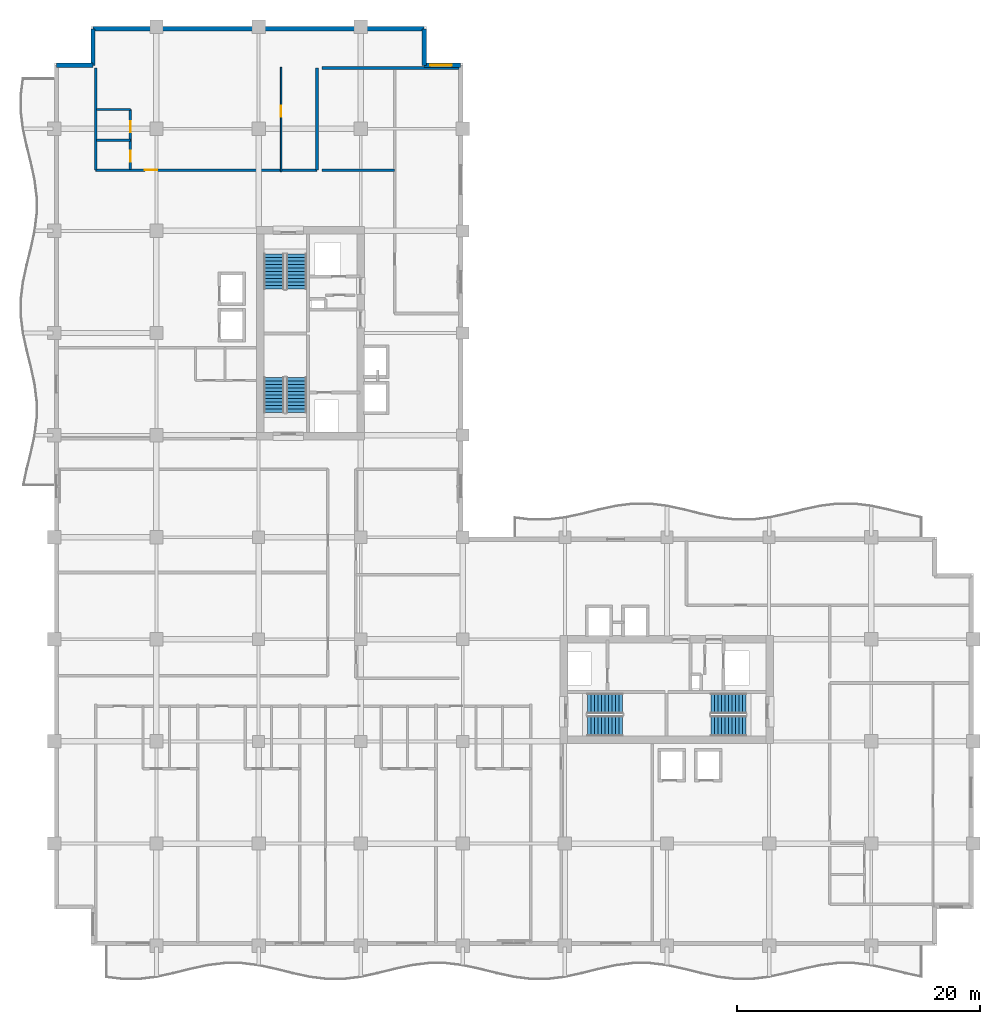
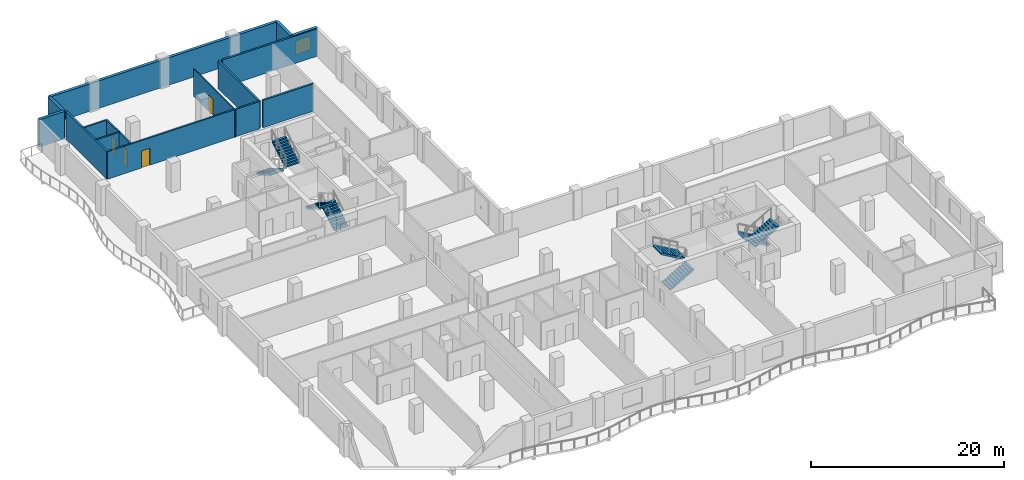
# One storey, part 9 of 14: 14 walls, 8 stair flights, 4 doors, 1 window, 5 openings, 4 elements without a shape of their own.
"""IFC4 building model written with IfcOpenShell, lengths in metres."""

from ifc_helpers import new_model, si_unit, direction, frame, frame_2d, origin, place, context, subcontext, project, spatial, polyline, rectangle, outline, extrude, material, layer, layer_set, type_object, element, fill, aggregate, save


model = new_model("IFC4")

# Units and contexts
model_context = context("Model", 3, precision=1e-05, world=origin(), true_north=direction((0.0, 1.0)))
body_context = subcontext(model_context, "Body", "Model", "MODEL_VIEW")
ifc_project = project(units=[si_unit("LENGTHUNIT", "METRE"), si_unit("AREAUNIT", "SQUARE_METRE"), si_unit("VOLUMEUNIT", "CUBIC_METRE"), si_unit("PLANEANGLEUNIT", "RADIAN"), si_unit("MASSUNIT", "GRAM", prefix="KILO")], contexts=[model_context])

# Site, building, storey
site_placement = place(None, origin())
site = spatial("IfcSite", under=ifc_project, at=site_placement, CompositionType="ELEMENT")
building_placement = place(site_placement, origin())
building = spatial("IfcBuilding", under=site, at=building_placement, Name="Koriwani Terraces Tower", CompositionType="ELEMENT")
storey_placement = place(building_placement, frame((0.0, 0.0, 208.699951171875)))
storey = spatial("IfcBuildingStorey", under=building, at=storey_placement, Name="L51", CompositionType="ELEMENT", Elevation=208.699951171875)

# Wall, opening, door
ifc_material_1 = material(Name="Autoclaved Cellular Concrete Blockwork", Category="masonry")
ifc_layer_1 = layer(ifc_material_1, 0.199951171875, Name="Autoclaved Cellular Concrete Blockwork")
ifc_layer_set_1 = layer_set([ifc_layer_1], Name="Autoclaved Cellular Concrete Blockwork")
wall_type_1 = type_object("IfcWallType", Name="WALL_CORRIDOR_200", PredefinedType="PARTITIONING", material=ifc_layer_set_1)
wall_1_placement = place(storey_placement, frame((3.39990234375, 63.800048828125, 0.0), z_axis=(0.0, 0.0, 1.0), x_axis=(1.0, 0.0, 0.0)))
wall_1 = element("IfcWall", 1, at=wall_1_placement, inside=storey, type_object=wall_type_1, Name="L51 Interior Wall WGB-L51-NWTIP-S", PredefinedType="PARTITIONING", context=body_context, shape_type="SweptSolid", body=[
    extrude(rectangle(XDim=18.2001953125, YDim=0.199951171875, at=frame_2d((9.10009765625, 0.0))), origin(), (0.0, 0.0, 1.0), 3.469970703125),
])
opening_1_placement = place(wall_1_placement, frame((4.050048828125, 0.0, 0.0)))
opening_1 = element("IfcOpeningElement", 2, at=opening_1_placement, cuts=wall_1, Name="Opening D-05", PredefinedType="OPENING", context=body_context, shape_type="SweptSolid", body=[
    extrude(rectangle(XDim=1.0, YDim=2.14990234375, at=frame_2d((0.5, 1.074951171875))), frame((0.0, 0.10986328125, 0.0), z_axis=(0.0, -1.0, 0.0), x_axis=(1.0, 0.0, 0.0)), (0.0, 0.0, 1.0), 0.219970703125),
])
ifc_material_2 = material(Name="Architectural Oak Fire Door", Category="wood")
door_type_1 = type_object("IfcDoorType", Name="DOOR_SUITE_ENTRY_1000X2150", OperationType="NOTDEFINED", PredefinedType="DOOR", material=ifc_material_2)
door_1_placement = place(opening_1_placement, origin())
door_1 = element("IfcDoor", 3, at=door_1_placement, inside=storey, type_object=door_type_1, Name="Grand Apartment 51NT Entrance Door", OperationType="SINGLE_SWING_RIGHT", OverallHeight=2.14990234375, OverallWidth=1.0, PredefinedType="DOOR", context=body_context, shape_type="SweptSolid", body=[
    extrude(rectangle(XDim=1.0, YDim=2.14990234375, at=frame_2d((0.5, 1.074951171875))), frame((0.0, 0.02490234375, 0.0), z_axis=(0.0, -1.0, 0.0), x_axis=(1.0, 0.0, 0.0)), (0.0, 0.0, 1.0), 0.050048828125),
])
fill(opening_1, door_1)

# Walls
ifc_layer_2 = layer(ifc_material_1, 0.219970703125, Name="Autoclaved Cellular Concrete Blockwork")
ifc_layer_set_2 = layer_set([ifc_layer_2], Name="Autoclaved Cellular Concrete Blockwork")
wall_type_2 = type_object("IfcWallType", Name="WALL_DEMISING_220", PredefinedType="PARTITIONING", material=ifc_layer_set_2)
for number, where, z_axis, x_axis, name in (
    (4, (21.60009765625, 63.800048828125, 0.0), (0.0, 0.0, 1.0), (0.0, 1.0, 0.0), "L51 Interior Wall WGB-L51-NWTIP-E"),
    (5, (3.39990234375, 63.800048828125, 0.0), (0.0, 0.0, 1.0), (0.0, 1.0, 0.0), "L51 Interior Wall WGB-L51-NWTIP-W"),
):
    element("IfcWall", number, at=place(storey_placement, frame(where, z_axis=z_axis, x_axis=x_axis)), inside=storey, type_object=wall_type_2, Name=name, PredefinedType="PARTITIONING", context=body_context, shape_type="SweptSolid", body=[
        extrude(rectangle(XDim=8.39990234375, YDim=0.219970703125, at=frame_2d((4.199951171875, 0.0))), origin(), (0.0, 0.0, 1.0), 3.469970703125),
    ])
wall_2_placement = place(storey_placement, frame((22.0, 72.199951171875, 0.0), z_axis=(0.0, 0.0, 1.0), x_axis=(1.0, 0.0, 0.0)))
element("IfcWall", 6, at=wall_2_placement, inside=storey, type_object=wall_type_2, Name="L51 Interior Wall WNWT2-N-L51", PredefinedType="PARTITIONING", context=body_context, shape_type="SweptSolid", body=[
    extrude(rectangle(XDim=11.300048828125, YDim=0.219970703125, at=frame_2d((5.64990234375, 0.0))), origin(), (0.0, 0.0, 1.0), 3.469970703125),
])
wall_3_placement = place(storey_placement, frame((22.0, 63.800048828125, 0.0), z_axis=(0.0, 0.0, 1.0), x_axis=(1.0, 0.0, 0.0)))
element("IfcWall", 7, at=wall_3_placement, inside=storey, type_object=wall_type_2, Name="L51 Interior Wall WNWT2-WS-L51", PredefinedType="PARTITIONING", context=body_context, shape_type="SweptSolid", body=[
    extrude(rectangle(XDim=6.0, YDim=0.219970703125, at=frame_2d((3.0, 0.0))), origin(), (0.0, 0.0, 1.0), 3.469970703125),
])
ifc_material_3 = material(Name="Concrete C50/60", Category="concrete")
ifc_layer_3 = layer(ifc_material_3, 0.35009765625, Name="Concrete C50/60")
ifc_layer_set_3 = layer_set([ifc_layer_3], Name="Concrete C50/60")
wall_type_3 = type_object("IfcWallType", Name="WALL_EXT_BRUTALIST_350", PredefinedType="STANDARD", material=ifc_layer_set_3)
for number, where, z_axis, x_axis, name in (
    (8, (0.175048828125, 72.425048828125, 0.0), (0.0, 0.0, 1.0), (1.0, 0.0, 0.0), "L51 Fair-Faced Brutalist Exterior Wall (N3)"),
    (9, (3.175048828125, 72.425048828125, 0.0), (0.0, 0.0, 1.0), (0.0, 1.0, 0.0), "L51 Fair-Faced Brutalist Exterior Wall (N4)"),
):
    element("IfcWall", number, at=place(storey_placement, frame(where, z_axis=z_axis, x_axis=x_axis)), inside=storey, type_object=wall_type_3, Name=name, PredefinedType="STANDARD", context=body_context, shape_type="SweptSolid", body=[
        extrude(rectangle(XDim=3.0, YDim=0.35009765625, at=frame_2d((1.5, 0.0))), origin(), (0.0, 0.0, 1.0), 3.469970703125),
    ])
wall_4_placement = place(storey_placement, frame((3.175048828125, 75.425048828125, 0.0), z_axis=(0.0, 0.0, 1.0), x_axis=(1.0, 0.0, 0.0)))
element("IfcWall", 10, at=wall_4_placement, inside=storey, type_object=wall_type_3, Name="L51 Fair-Faced Brutalist Exterior Wall (N_TIP)", PredefinedType="STANDARD", context=body_context, shape_type="SweptSolid", body=[
    extrude(rectangle(XDim=27.25, YDim=0.35009765625, at=frame_2d((13.625, 0.0))), origin(), (0.0, 0.0, 1.0), 3.469970703125),
])
wall_5_placement = place(storey_placement, frame((30.425048828125, 75.425048828125, 0.0), z_axis=(0.0, 0.0, 1.0), x_axis=(0.0, -1.0, 0.0)))
element("IfcWall", 11, at=wall_5_placement, inside=storey, type_object=wall_type_3, Name="L51 Fair-Faced Brutalist Exterior Wall (N6)", PredefinedType="STANDARD", context=body_context, shape_type="SweptSolid", body=[
    extrude(rectangle(XDim=3.0, YDim=0.35009765625, at=frame_2d((1.5, 0.0))), origin(), (0.0, 0.0, 1.0), 3.469970703125),
])

# Wall, opening, window
wall_6_placement = place(storey_placement, frame((30.425048828125, 72.425048828125, 0.0), z_axis=(0.0, 0.0, 1.0), x_axis=(1.0, 0.0, 0.0)))
wall_6 = element("IfcWall", 12, at=wall_6_placement, inside=storey, type_object=wall_type_3, Name="L51 Fair-Faced Brutalist Exterior Wall (N7)", PredefinedType="STANDARD", context=body_context, shape_type="SweptSolid", body=[
    extrude(rectangle(XDim=3.0, YDim=0.35009765625, at=frame_2d((1.5, 0.0))), origin(), (0.0, 0.0, 1.0), 3.469970703125),
])
opening_2_placement = place(wall_6_placement, frame((0.487548828125, 0.0, 0.85009765625)))
opening_2 = element("IfcOpeningElement", 13, at=opening_2_placement, cuts=wall_6, Name="Opening W-04", PredefinedType="OPENING", context=body_context, shape_type="SweptSolid", body=[
    extrude(rectangle(XDim=1.800048828125, YDim=1.800048828125, at=frame_2d((0.89990234375, 0.89990234375))), frame((0.0, 0.18505859375, 0.0), z_axis=(0.0, -1.0, 0.0), x_axis=(1.0, 0.0, 0.0)), (0.0, 0.0, 1.0), 0.3701171875),
])
ifc_material_4 = material(Name="Tempered Laminated Low-E Glass", Category="glass")
window_type = type_object("IfcWindowType", Name="WIN_RES_BED_1800X1800", PartitioningType="DOUBLE_PANEL_VERTICAL", PredefinedType="WINDOW", material=ifc_material_4)
window_placement = place(opening_2_placement, origin())
window = element("IfcWindow", 14, at=window_placement, inside=storey, type_object=window_type, Name="L51 Exterior Window (N7-R50)", OverallHeight=1.800048828125, OverallWidth=1.800048828125, PartitioningType="SINGLE_PANEL", PredefinedType="WINDOW", context=body_context, shape_type="SweptSolid", body=[
    extrude(rectangle(XDim=1.800048828125, YDim=1.800048828125, at=frame_2d((0.89990234375, 0.89990234375))), frame((0.0, 0.030029296875, 0.0), z_axis=(0.0, -1.0, 0.0), x_axis=(1.0, 0.0, 0.0)), (0.0, 0.0, 1.0), 0.06005859375),
])
fill(opening_2, window)

# Wall, opening, door
ifc_material_5 = material(Name="Fire-Rated Acoustic Gypsum Partition", Category="masonry")
ifc_layer_4 = layer(ifc_material_5, 0.125, Name="Fire-Rated Acoustic Gypsum Partition")
ifc_layer_set_4 = layer_set([ifc_layer_4], Name="Fire-Rated Acoustic Gypsum Partition")
wall_type_4 = type_object("IfcWallType", Name="WALL_INT_125", PredefinedType="PARTITIONING", material=ifc_layer_set_4)
wall_7_placement = place(storey_placement, frame((18.64990234375, 63.64990234375, 0.0), z_axis=(0.0, 0.0, 1.0), x_axis=(0.0, 1.0, 0.0)))
wall_7 = element("IfcWall", 15, at=wall_7_placement, inside=storey, type_object=wall_type_4, Name="L51 Interior Wall WGB-L51-NWTIP-BD", PredefinedType="PARTITIONING", context=body_context, shape_type="SweptSolid", body=[
    extrude(rectangle(XDim=8.60009765625, YDim=0.125, at=frame_2d((4.300048828125, 0.0))), origin(), (0.0, 0.0, 1.0), 3.469970703125),
])
opening_3_placement = place(wall_7_placement, frame((4.530029296875, 0.0, 0.0)))
opening_3 = element("IfcOpeningElement", 16, at=opening_3_placement, cuts=wall_7, Name="Opening D-06", PredefinedType="OPENING", context=body_context, shape_type="SweptSolid", body=[
    extrude(rectangle(XDim=0.919921875, YDim=2.10009765625, at=frame_2d((0.4599609375, 1.050048828125))), frame((0.0, 0.072509765625, 0.0), z_axis=(0.0, -1.0, 0.0), x_axis=(1.0, 0.0, 0.0)), (0.0, 0.0, 1.0), 0.14501953125),
])
door_type_2 = type_object("IfcDoorType", Name="DOOR_ROOM_INT_920X2100", OperationType="NOTDEFINED", PredefinedType="DOOR", material=ifc_material_2)
door_2_placement = place(opening_3_placement, origin())
door_2 = element("IfcDoor", 17, at=door_2_placement, inside=storey, type_object=door_type_2, Name="Grand Apartment 51NT Master Suite Door", OperationType="SINGLE_SWING_LEFT", OverallHeight=2.10009765625, OverallWidth=0.919921875, PredefinedType="DOOR", context=body_context, shape_type="SweptSolid", body=[
    extrude(rectangle(XDim=0.919921875, YDim=2.10009765625, at=frame_2d((0.4599609375, 1.050048828125))), frame((0.0, 0.02490234375, 0.0), z_axis=(0.0, -1.0, 0.0), x_axis=(1.0, 0.0, 0.0)), (0.0, 0.0, 1.0), 0.050048828125),
])
fill(opening_3, door_2)

# Wall, openings, doors
ifc_layer_5 = layer(ifc_material_5, 0.179931640625, Name="Fire-Rated Acoustic Gypsum Partition")
ifc_layer_set_5 = layer_set([ifc_layer_5], Name="Fire-Rated Acoustic Gypsum Partition")
wall_type_5 = type_object("IfcWallType", Name="WALL_PLUMBING_180", PredefinedType="PLUMBINGWALL", material=ifc_layer_set_5)
wall_8_placement = place(storey_placement, frame((6.25, 63.85009765625, 0.0), z_axis=(0.0, 0.0, 1.0), x_axis=(0.0, 1.0, 0.0)))
wall_8 = element("IfcWall", 18, at=wall_8_placement, inside=storey, type_object=wall_type_5, Name="L51 Interior Wall WGB-L51-NWTIP-SVB", PredefinedType="PLUMBINGWALL", context=body_context, shape_type="SweptSolid", body=[
    extrude(rectangle(XDim=4.949951171875, YDim=0.179931640625, at=frame_2d((2.47509765625, 0.0))), origin(), (0.0, 0.0, 1.0), 3.469970703125),
])
opening_4_placement = place(wall_8_placement, frame((0.64990234375, 0.0, 0.0)))
opening_4 = element("IfcOpeningElement", 19, at=opening_4_placement, cuts=wall_8, Name="Opening D-07", PredefinedType="OPENING", context=body_context, shape_type="SweptSolid", body=[
    extrude(rectangle(XDim=0.89990234375, YDim=2.10009765625, at=frame_2d((0.449951171875, 1.050048828125))), frame((0.0, 0.10009765625, 0.0), z_axis=(0.0, -1.0, 0.0), x_axis=(1.0, 0.0, 0.0)), (0.0, 0.0, 1.0), 0.199951171875),
])
opening_5_placement = place(wall_8_placement, frame((3.050048828125, 0.0, 0.0)))
opening_5 = element("IfcOpeningElement", 20, at=opening_5_placement, cuts=wall_8, Name="Opening D-06", PredefinedType="OPENING", context=body_context, shape_type="SweptSolid", body=[
    extrude(rectangle(XDim=0.919921875, YDim=2.10009765625, at=frame_2d((0.4599609375, 1.050048828125))), frame((0.0, 0.10009765625, 0.0), z_axis=(0.0, -1.0, 0.0), x_axis=(1.0, 0.0, 0.0)), (0.0, 0.0, 1.0), 0.199951171875),
])
door_type_3 = type_object("IfcDoorType", Name="DOOR_BATH_INT_900X2100", OperationType="NOTDEFINED", PredefinedType="DOOR", material=ifc_material_2)
door_3_placement = place(opening_4_placement, origin())
door_3 = element("IfcDoor", 21, at=door_3_placement, inside=storey, type_object=door_type_3, Name="Grand Apartment 51NT Bathroom Door", OperationType="SINGLE_SWING_LEFT", OverallHeight=2.10009765625, OverallWidth=0.89990234375, PredefinedType="DOOR", context=body_context, shape_type="SweptSolid", body=[
    extrude(rectangle(XDim=0.89990234375, YDim=2.10009765625, at=frame_2d((0.449951171875, 1.050048828125))), frame((0.0, 0.02490234375, 0.0), z_axis=(0.0, -1.0, 0.0), x_axis=(1.0, 0.0, 0.0)), (0.0, 0.0, 1.0), 0.050048828125),
])
fill(opening_4, door_3)
door_4_placement = place(opening_5_placement, origin())
door_4 = element("IfcDoor", 22, at=door_4_placement, inside=storey, type_object=door_type_2, Name="Grand Apartment 51NT Kitchen Door", OperationType="SINGLE_SWING_RIGHT", OverallHeight=2.10009765625, OverallWidth=0.919921875, PredefinedType="DOOR", context=body_context, shape_type="SweptSolid", body=[
    extrude(rectangle(XDim=0.919921875, YDim=2.10009765625, at=frame_2d((0.4599609375, 1.050048828125))), frame((0.0, 0.02490234375, 0.0), z_axis=(0.0, -1.0, 0.0), x_axis=(1.0, 0.0, 0.0)), (0.0, 0.0, 1.0), 0.050048828125),
])
fill(opening_5, door_4)

# Walls
for number, where, z_axis, x_axis, name in (
    (23, (3.449951171875, 66.25, 0.0), (0.0, 0.0, 1.0), (1.0, 0.0, 0.0), "L51 Interior Wall WGB-L51-NWTIP-SVM"),
    (24, (3.449951171875, 68.800048828125, 0.0), (0.0, 0.0, 1.0), (1.0, 0.0, 0.0), "L51 Interior Wall WGB-L51-NWTIP-SV2"),
):
    element("IfcWall", number, at=place(storey_placement, frame(where, z_axis=z_axis, x_axis=x_axis)), inside=storey, type_object=wall_type_5, Name=name, PredefinedType="PLUMBINGWALL", context=body_context, shape_type="SweptSolid", body=[
        extrude(rectangle(XDim=2.800048828125, YDim=0.179931640625, at=frame_2d((1.39990234375, 0.0))), origin(), (0.0, 0.0, 1.0), 3.469970703125),
    ])

# Stair, stair flights
ifc_material_6 = material(Name="Concrete C40/50", Category="concrete")
stair_type = type_object("IfcStairType", Name="STAIR_CORE_DOGLEG_1650", PredefinedType="TWO_STRAIGHT_RUN_STAIR", material=ifc_material_6)
stair_1_placement = place(storey_placement, origin())
stair_1 = element("IfcStair", 25, at=stair_1_placement, inside=storey, type_object=stair_type, Name="L51 West Core Exit Stair 1", PredefinedType="HALF_TURN_STAIR")
stair_flight_type = type_object("IfcStairFlightType", Name="STAIR_FLIGHT_RC_1650", PredefinedType="STRAIGHT", material=ifc_material_6)
stair_flight_1_placement = place(storey_placement, frame((19.925048828125, 43.85009765625, 0.0), z_axis=(0.0, 0.0, 1.0), x_axis=(0.0, 1.0, 0.0)))
stair_flight_1 = element("IfcStairFlight", 26, at=stair_flight_1_placement, type_object=stair_flight_type, Name="ST-W1 flight 1", NumberOfRisers=11, NumberOfTreads=10, PredefinedType="STRAIGHT", RiserHeight=0.168181818, TreadLength=0.29, context=body_context, shape_type="SweptSolid", body=[
    extrude(outline(polyline([(0.0, 0.0), (0.0, 0.168212890625), (0.2900390625, 0.168212890625), (0.2900390625, 0.33642578125), (0.580078125, 0.33642578125), (0.580078125, 0.504638671875), (0.8701171875, 0.504638671875), (0.8701171875, 0.672607421875), (1.159912109375, 0.672607421875), (1.159912109375, 0.8408203125), (1.449951171875, 0.8408203125), (1.449951171875, 1.009033203125), (1.739990234375, 1.009033203125), (1.739990234375, 1.17724609375), (2.030029296875, 1.17724609375), (2.030029296875, 1.345458984375), (2.320068359375, 1.345458984375), (2.320068359375, 1.513671875), (2.610107421875, 1.513671875), (2.610107421875, 1.681884765625), (2.89990234375, 1.681884765625), (2.89990234375, 1.85009765625), (2.89990234375, 1.473876953125), (0.358642578125, 0.0), (0.0, 0.0)])), frame((0.0, 0.824951171875, 0.0), z_axis=(0.0, -1.0, 0.0), x_axis=(1.0, 0.0, 0.0)), (0.0, 0.0, 1.0), 1.64990234375),
])
stair_flight_2_placement = place(storey_placement, frame((18.074951171875, 46.75, 1.85009765625), z_axis=(0.0, 0.0, 1.0), x_axis=(0.0, -1.0, 0.0)))
stair_flight_2 = element("IfcStairFlight", 27, at=stair_flight_2_placement, type_object=stair_flight_type, Name="ST-W1 flight 2", NumberOfRisers=11, NumberOfTreads=10, PredefinedType="STRAIGHT", RiserHeight=0.168181818, TreadLength=0.29, context=body_context, shape_type="SweptSolid", body=[
    extrude(outline(polyline([(0.0, 0.0), (0.0, 0.168212890625), (0.2900390625, 0.168212890625), (0.2900390625, 0.33642578125), (0.580078125, 0.33642578125), (0.580078125, 0.504638671875), (0.8701171875, 0.504638671875), (0.8701171875, 0.672607421875), (1.159912109375, 0.672607421875), (1.159912109375, 0.8408203125), (1.449951171875, 0.8408203125), (1.449951171875, 1.009033203125), (1.739990234375, 1.009033203125), (1.739990234375, 1.17724609375), (2.030029296875, 1.17724609375), (2.030029296875, 1.345458984375), (2.320068359375, 1.345458984375), (2.320068359375, 1.513671875), (2.610107421875, 1.513671875), (2.610107421875, 1.681884765625), (2.89990234375, 1.681884765625), (2.89990234375, 1.85009765625), (2.89990234375, 1.473876953125), (0.358642578125, 0.0), (0.0, 0.0)])), frame((0.0, 0.824951171875, 0.0), z_axis=(0.0, -1.0, 0.0), x_axis=(1.0, 0.0, 0.0)), (0.0, 0.0, 1.0), 1.64990234375),
])
aggregate(stair_1, [stair_flight_1, stair_flight_2])

stair_2_placement = place(storey_placement, origin())
stair_2 = element("IfcStair", 28, at=stair_2_placement, inside=storey, type_object=stair_type, Name="L51 West Core Exit Stair 2", PredefinedType="HALF_TURN_STAIR")
stair_flight_3_placement = place(storey_placement, frame((18.074951171875, 56.89990234375, 0.0), z_axis=(0.0, 0.0, 1.0), x_axis=(0.0, -1.0, 0.0)))
stair_flight_3 = element("IfcStairFlight", 29, at=stair_flight_3_placement, type_object=stair_flight_type, Name="ST-W2 flight 1", NumberOfRisers=11, NumberOfTreads=10, PredefinedType="STRAIGHT", RiserHeight=0.168181818, TreadLength=0.29, context=body_context, shape_type="SweptSolid", body=[
    extrude(outline(polyline([(0.0, 0.0), (0.0, 0.168212890625), (0.2900390625, 0.168212890625), (0.2900390625, 0.33642578125), (0.580078125, 0.33642578125), (0.580078125, 0.504638671875), (0.8701171875, 0.504638671875), (0.8701171875, 0.672607421875), (1.159912109375, 0.672607421875), (1.159912109375, 0.8408203125), (1.449951171875, 0.8408203125), (1.449951171875, 1.009033203125), (1.739990234375, 1.009033203125), (1.739990234375, 1.17724609375), (2.030029296875, 1.17724609375), (2.030029296875, 1.345458984375), (2.320068359375, 1.345458984375), (2.320068359375, 1.513671875), (2.610107421875, 1.513671875), (2.610107421875, 1.681884765625), (2.89990234375, 1.681884765625), (2.89990234375, 1.85009765625), (2.89990234375, 1.473876953125), (0.358642578125, 0.0), (0.0, 0.0)])), frame((0.0, 0.824951171875, 0.0), z_axis=(0.0, -1.0, 0.0), x_axis=(1.0, 0.0, 0.0)), (0.0, 0.0, 1.0), 1.64990234375),
])
stair_flight_4_placement = place(storey_placement, frame((19.925048828125, 54.0, 1.85009765625), z_axis=(0.0, 0.0, 1.0), x_axis=(0.0, 1.0, 0.0)))
stair_flight_4 = element("IfcStairFlight", 30, at=stair_flight_4_placement, type_object=stair_flight_type, Name="ST-W2 flight 2", NumberOfRisers=11, NumberOfTreads=10, PredefinedType="STRAIGHT", RiserHeight=0.168181818, TreadLength=0.29, context=body_context, shape_type="SweptSolid", body=[
    extrude(outline(polyline([(0.0, 0.0), (0.0, 0.168212890625), (0.2900390625, 0.168212890625), (0.2900390625, 0.33642578125), (0.580078125, 0.33642578125), (0.580078125, 0.504638671875), (0.8701171875, 0.504638671875), (0.8701171875, 0.672607421875), (1.159912109375, 0.672607421875), (1.159912109375, 0.8408203125), (1.449951171875, 0.8408203125), (1.449951171875, 1.009033203125), (1.739990234375, 1.009033203125), (1.739990234375, 1.17724609375), (2.030029296875, 1.17724609375), (2.030029296875, 1.345458984375), (2.320068359375, 1.345458984375), (2.320068359375, 1.513671875), (2.610107421875, 1.513671875), (2.610107421875, 1.681884765625), (2.89990234375, 1.681884765625), (2.89990234375, 1.85009765625), (2.89990234375, 1.473876953125), (0.358642578125, 0.0), (0.0, 0.0)])), frame((0.0, 0.824951171875, 0.0), z_axis=(0.0, -1.0, 0.0), x_axis=(1.0, 0.0, 0.0)), (0.0, 0.0, 1.0), 1.64990234375),
])
aggregate(stair_2, [stair_flight_3, stair_flight_4])

stair_3_placement = place(storey_placement, origin())
stair_3 = element("IfcStair", 31, at=stair_3_placement, inside=storey, type_object=stair_type, Name="L51 East Core Exit Stair 1", PredefinedType="HALF_TURN_STAIR")
stair_flight_5_placement = place(storey_placement, frame((43.85009765625, 18.074951171875, 0.0), z_axis=(0.0, 0.0, 1.0), x_axis=(1.0, 0.0, 0.0)))
stair_flight_5 = element("IfcStairFlight", 32, at=stair_flight_5_placement, type_object=stair_flight_type, Name="ST-E1 flight 1", NumberOfRisers=11, NumberOfTreads=10, PredefinedType="STRAIGHT", RiserHeight=0.168181818, TreadLength=0.29, context=body_context, shape_type="SweptSolid", body=[
    extrude(outline(polyline([(0.0, 0.0), (0.0, 0.168212890625), (0.2900390625, 0.168212890625), (0.2900390625, 0.33642578125), (0.580078125, 0.33642578125), (0.580078125, 0.504638671875), (0.8701171875, 0.504638671875), (0.8701171875, 0.672607421875), (1.159912109375, 0.672607421875), (1.159912109375, 0.8408203125), (1.449951171875, 0.8408203125), (1.449951171875, 1.009033203125), (1.739990234375, 1.009033203125), (1.739990234375, 1.17724609375), (2.030029296875, 1.17724609375), (2.030029296875, 1.345458984375), (2.320068359375, 1.345458984375), (2.320068359375, 1.513671875), (2.610107421875, 1.513671875), (2.610107421875, 1.681884765625), (2.89990234375, 1.681884765625), (2.89990234375, 1.85009765625), (2.89990234375, 1.473876953125), (0.358642578125, 0.0), (0.0, 0.0)])), frame((0.0, 0.824951171875, 0.0), z_axis=(0.0, -1.0, 0.0), x_axis=(1.0, 0.0, 0.0)), (0.0, 0.0, 1.0), 1.64990234375),
])
stair_flight_6_placement = place(storey_placement, frame((46.75, 19.925048828125, 1.85009765625), z_axis=(0.0, 0.0, 1.0), x_axis=(-1.0, 0.0, 0.0)))
stair_flight_6 = element("IfcStairFlight", 33, at=stair_flight_6_placement, type_object=stair_flight_type, Name="ST-E1 flight 2", NumberOfRisers=11, NumberOfTreads=10, PredefinedType="STRAIGHT", RiserHeight=0.168181818, TreadLength=0.29, context=body_context, shape_type="SweptSolid", body=[
    extrude(outline(polyline([(0.0, 0.0), (0.0, 0.168212890625), (0.2900390625, 0.168212890625), (0.2900390625, 0.33642578125), (0.580078125, 0.33642578125), (0.580078125, 0.504638671875), (0.8701171875, 0.504638671875), (0.8701171875, 0.672607421875), (1.159912109375, 0.672607421875), (1.159912109375, 0.8408203125), (1.449951171875, 0.8408203125), (1.449951171875, 1.009033203125), (1.739990234375, 1.009033203125), (1.739990234375, 1.17724609375), (2.030029296875, 1.17724609375), (2.030029296875, 1.345458984375), (2.320068359375, 1.345458984375), (2.320068359375, 1.513671875), (2.610107421875, 1.513671875), (2.610107421875, 1.681884765625), (2.89990234375, 1.681884765625), (2.89990234375, 1.85009765625), (2.89990234375, 1.473876953125), (0.358642578125, 0.0), (0.0, 0.0)])), frame((0.0, 0.824951171875, 0.0), z_axis=(0.0, -1.0, 0.0), x_axis=(1.0, 0.0, 0.0)), (0.0, 0.0, 1.0), 1.64990234375),
])
aggregate(stair_3, [stair_flight_5, stair_flight_6])

stair_4_placement = place(storey_placement, origin())
stair_4 = element("IfcStair", 34, at=stair_4_placement, inside=storey, type_object=stair_type, Name="L51 East Core Exit Stair 2", PredefinedType="HALF_TURN_STAIR")
stair_flight_7_placement = place(storey_placement, frame((56.89990234375, 19.925048828125, 0.0), z_axis=(0.0, 0.0, 1.0), x_axis=(-1.0, 0.0, 0.0)))
stair_flight_7 = element("IfcStairFlight", 35, at=stair_flight_7_placement, type_object=stair_flight_type, Name="ST-E2 flight 1", NumberOfRisers=11, NumberOfTreads=10, PredefinedType="STRAIGHT", RiserHeight=0.168181818, TreadLength=0.29, context=body_context, shape_type="SweptSolid", body=[
    extrude(outline(polyline([(0.0, 0.0), (0.0, 0.168212890625), (0.2900390625, 0.168212890625), (0.2900390625, 0.33642578125), (0.580078125, 0.33642578125), (0.580078125, 0.504638671875), (0.8701171875, 0.504638671875), (0.8701171875, 0.672607421875), (1.159912109375, 0.672607421875), (1.159912109375, 0.8408203125), (1.449951171875, 0.8408203125), (1.449951171875, 1.009033203125), (1.739990234375, 1.009033203125), (1.739990234375, 1.17724609375), (2.030029296875, 1.17724609375), (2.030029296875, 1.345458984375), (2.320068359375, 1.345458984375), (2.320068359375, 1.513671875), (2.610107421875, 1.513671875), (2.610107421875, 1.681884765625), (2.89990234375, 1.681884765625), (2.89990234375, 1.85009765625), (2.89990234375, 1.473876953125), (0.358642578125, 0.0), (0.0, 0.0)])), frame((0.0, 0.824951171875, 0.0), z_axis=(0.0, -1.0, 0.0), x_axis=(1.0, 0.0, 0.0)), (0.0, 0.0, 1.0), 1.64990234375),
])
stair_flight_8_placement = place(storey_placement, frame((54.0, 18.074951171875, 1.85009765625), z_axis=(0.0, 0.0, 1.0), x_axis=(1.0, 0.0, 0.0)))
stair_flight_8 = element("IfcStairFlight", 36, at=stair_flight_8_placement, type_object=stair_flight_type, Name="ST-E2 flight 2", NumberOfRisers=11, NumberOfTreads=10, PredefinedType="STRAIGHT", RiserHeight=0.168181818, TreadLength=0.29, context=body_context, shape_type="SweptSolid", body=[
    extrude(outline(polyline([(0.0, 0.0), (0.0, 0.168212890625), (0.2900390625, 0.168212890625), (0.2900390625, 0.33642578125), (0.580078125, 0.33642578125), (0.580078125, 0.504638671875), (0.8701171875, 0.504638671875), (0.8701171875, 0.672607421875), (1.159912109375, 0.672607421875), (1.159912109375, 0.8408203125), (1.449951171875, 0.8408203125), (1.449951171875, 1.009033203125), (1.739990234375, 1.009033203125), (1.739990234375, 1.17724609375), (2.030029296875, 1.17724609375), (2.030029296875, 1.345458984375), (2.320068359375, 1.345458984375), (2.320068359375, 1.513671875), (2.610107421875, 1.513671875), (2.610107421875, 1.681884765625), (2.89990234375, 1.681884765625), (2.89990234375, 1.85009765625), (2.89990234375, 1.473876953125), (0.358642578125, 0.0), (0.0, 0.0)])), frame((0.0, 0.824951171875, 0.0), z_axis=(0.0, -1.0, 0.0), x_axis=(1.0, 0.0, 0.0)), (0.0, 0.0, 1.0), 1.64990234375),
])
aggregate(stair_4, [stair_flight_7, stair_flight_8])

save(model, "model.ifc")
